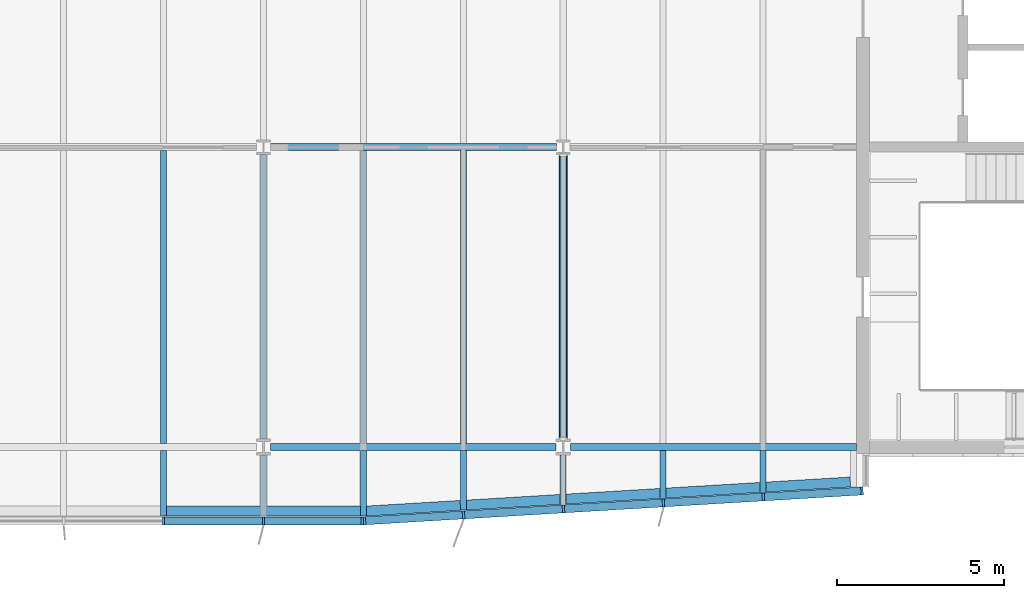
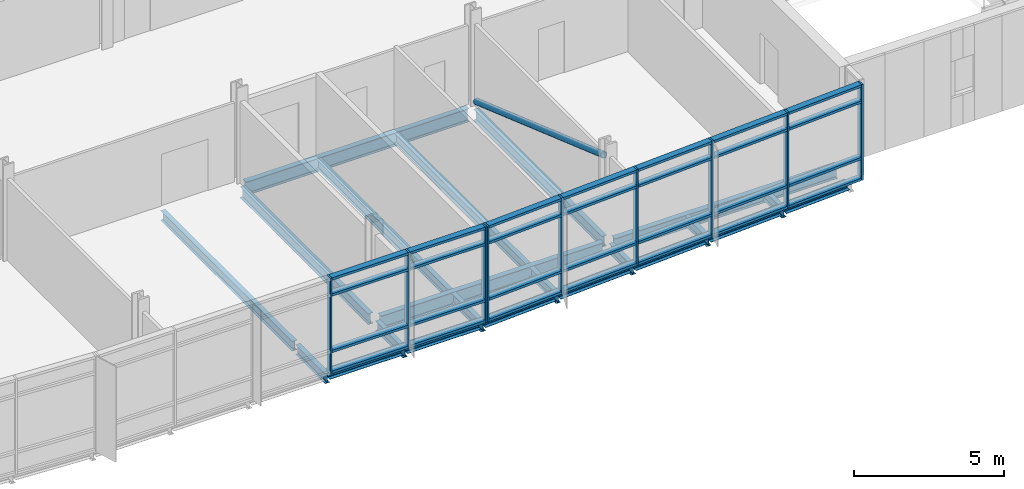
# One storey, part 5 of 17: 38 members, 22 beams, 2 elements without a shape of their own.
"""IFC4 building model written with IfcOpenShell, lengths in metres."""

import ifcopenshell
import ifcopenshell.guid

model = None  # the IFC model being written
_history = None  # IfcOwnerHistory: only IFC2X3 demands one
_inside = {}  # id of a spatial element -> (the spatial element, [elements in it])
_under = {}  # id of a project, library or spatial element -> (it, [spatial elements below it])
_declared = {}  # id of a project -> (the project, [libraries it declares])
_typed = {}  # id of a type object -> (the type object, [elements of that type])
_made_of = {}  # id of a material, layer set ... -> (it, [elements and type objects made of it])


def new_model(schema):
    """Start an empty IFC model of exactly this schema.

    Asked for "IFC4X3", IfcOpenShell would pick the latest addendum, in which some entities
    have other attributes; the version numbers below select the first issue.
    IFC2X3 requires an IfcOwnerHistory on every rooted entity: one is made here for all.
    """
    global model, _history
    if schema == "IFC4X3":
        model = ifcopenshell.file(schema_version=(4, 3, 0, 0))
    else:
        model = ifcopenshell.file(schema=schema)
    _inside.clear()
    _under.clear()
    _declared.clear()
    _typed.clear()
    _made_of.clear()
    _history = None
    if model.schema == "IFC2X3":
        org = make("IfcOrganization", Name="unknown")
        user = make(
            "IfcPersonAndOrganization",
            ThePerson=make("IfcPerson", FamilyName="unknown"),
            TheOrganization=org,
        )
        app = make(
            "IfcApplication",
            ApplicationDeveloper=org,
            Version="unknown",
            ApplicationFullName="unknown",
            ApplicationIdentifier="unknown",
        )
        _history = make(
            "IfcOwnerHistory",
            OwningUser=user,
            OwningApplication=app,
            ChangeAction="ADDED",
            CreationDate=0,
        )
    return model


def make(cls, **values):
    """One entity of the class cls with the attributes given. An attribute that is None is left unset."""
    return model.create_entity(
        cls, **{name: value for name, value in values.items() if value is not None}
    )


def rooted(cls, **values):
    """An entity with a GlobalId (a new one), such as an element, a storey or a relation."""
    return make(cls, GlobalId=ifcopenshell.guid.new(), OwnerHistory=_history, **values)


def si_unit(unit_type, name, prefix=None):
    """IfcSIUnit, for example si_unit("LENGTHUNIT", "METRE", prefix="MILLI")."""
    return make("IfcSIUnit", UnitType=unit_type, Prefix=prefix, Name=name)


def assignment(units):
    """IfcUnitAssignment: the units of a project."""
    return None if units is None else make("IfcUnitAssignment", Units=units)


def point(xyz):
    """IfcCartesianPoint."""
    return None if xyz is None else make("IfcCartesianPoint", Coordinates=xyz)


def direction(xyz):
    """IfcDirection."""
    return None if xyz is None else make("IfcDirection", DirectionRatios=xyz)


def frame(location, z_axis=None, x_axis=None):
    """IfcAxis2Placement3D, a coordinate frame: its origin and axes. An axis left out is left unset."""
    return make(
        "IfcAxis2Placement3D",
        Location=point(location),
        Axis=direction(z_axis),
        RefDirection=direction(x_axis),
    )


def frame_2d(location, x_axis=None):
    """IfcAxis2Placement2D, a coordinate frame in the plane: its origin and x axis."""
    return make(
        "IfcAxis2Placement2D", Location=point(location), RefDirection=direction(x_axis)
    )


def origin():
    """The frame at (0, 0, 0) with its axes left unset."""
    return frame((0.0, 0.0, 0.0))


def origin_2d():
    """The frame at (0, 0) in the plane with its x axis left unset."""
    return frame_2d((0.0, 0.0))


def place(relative_to, where):
    """IfcLocalPlacement: puts the frame where relative to a parent placement (None: the world)."""
    return make(
        "IfcLocalPlacement", PlacementRelTo=relative_to, RelativePlacement=where
    )


def context(
    kind, dimensions, precision=None, world=None, true_north=None, identifier=None
):
    """IfcGeometricRepresentationContext, for example the 3D "Model" context."""
    return make(
        "IfcGeometricRepresentationContext",
        ContextIdentifier=identifier,
        ContextType=kind,
        CoordinateSpaceDimension=dimensions,
        Precision=precision,
        WorldCoordinateSystem=world,
        TrueNorth=true_north,
    )


def subcontext(parent, identifier, kind, view, scale=None):
    """IfcGeometricRepresentationSubContext, for example "Body" below "Model"."""
    return make(
        "IfcGeometricRepresentationSubContext",
        ContextIdentifier=identifier,
        ContextType=kind,
        ParentContext=parent,
        TargetScale=scale,
        TargetView=view,
    )


def project(units=None, contexts=None):
    """IfcProject with its units and contexts."""
    return rooted(
        "IfcProject",
        Name="project",
        RepresentationContexts=contexts,
        UnitsInContext=assignment(units),
    )


def spatial(cls, under=None, at=None, **own):
    """A site, building, storey or space (cls), placed at a placement, below another one or the project."""
    s = rooted(cls, ObjectPlacement=at, **own)
    if under is not None:
        _under.setdefault(under.id(), (under, []))[1].append(s)
    return s


def profile(cls, at=None, kind="AREA", **sizes):
    """A parametric profile (cls). Its sizes go by their IFC names, for example OverallWidth=200.0."""
    return make(cls, ProfileType=kind, Position=at, **sizes)


def rectangle(**sizes):
    """IfcRectangleProfileDef."""
    return profile("IfcRectangleProfileDef", **sizes)


def hollow_circle(**sizes):
    """IfcCircleHollowProfileDef."""
    return profile("IfcCircleHollowProfileDef", **sizes)


def i_section(**sizes):
    """IfcIShapeProfileDef."""
    return profile("IfcIShapeProfileDef", **sizes)


def extrude(swept, where, along, depth):
    """IfcExtrudedAreaSolid: the profile swept, set in the frame where, extruded along a direction by depth."""
    return make(
        "IfcExtrudedAreaSolid",
        SweptArea=swept,
        Position=where,
        ExtrudedDirection=direction(along),
        Depth=depth,
    )


def shape(context_of_items, identifier, shape_type, items):
    """IfcShapeRepresentation: the items that make up one representation, for example the "Body"."""
    return make(
        "IfcShapeRepresentation",
        ContextOfItems=context_of_items,
        RepresentationIdentifier=identifier,
        RepresentationType=shape_type,
        Items=items,
    )


def material(Name=None, Category=None):
    """IfcMaterial."""
    return make("IfcMaterial", Name=Name, Category=Category)


def material_profile(
    of_material, cross_section, Name=None, Category=None, Priority=None
):
    """IfcMaterialProfile: a cross section and its material."""
    return make(
        "IfcMaterialProfile",
        Name=Name,
        Material=of_material,
        Profile=cross_section,
        Priority=Priority,
        Category=Category,
    )


def profile_set(profiles, Name=None, composite=None):
    """IfcMaterialProfileSet."""
    return make(
        "IfcMaterialProfileSet",
        Name=Name,
        MaterialProfiles=profiles,
        CompositeProfile=composite,
    )


def made_of(thing, what):
    """Note that an element or type object is made of a material, layer set ...; save() writes the relation."""
    if what is not None:
        _made_of.setdefault(what.id(), (what, []))[1].append(thing)
    return thing


def type_object(cls, material=None, **own):
    """A type object (cls), such as IfcWallType, which elements share."""
    return made_of(rooted(cls, **own), material)


def element(
    cls,
    number,
    at=None,
    inside=None,
    cuts=None,
    type_object=None,
    material=None,
    context=None,
    identifier="Body",
    shape_type=None,
    held_by="IfcProductDefinitionShape",
    body=None,
    shapes=None,
    **own,
):
    """One element of the class cls, such as IfcWall. Its Tag is "e" and its number.

    at: its placement. inside: the storey or other place that contains it. cuts: it is an
    opening in that element (IfcRelVoidsElement). A single representation is given by context,
    identifier, shape_type and body (its items); several are given by shapes. held_by: the class
    of the entity that holds the representations. save() writes the other relations.
    """
    e = rooted(cls, Tag="e%d" % number, ObjectPlacement=at, **own)
    if body is not None:
        shapes = [shape(context, identifier, shape_type, body)]
    if shapes is not None:
        e.Representation = make(held_by, Representations=shapes)
    if inside is not None:
        _inside.setdefault(inside.id(), (inside, []))[1].append(e)
    if cuts is not None:
        rooted(
            "IfcRelVoidsElement", RelatingBuildingElement=cuts, RelatedOpeningElement=e
        )
    if type_object is not None:
        _typed.setdefault(type_object.id(), (type_object, []))[1].append(e)
    return made_of(e, material)


def aggregate(whole, parts):
    """IfcRelAggregates: a whole, such as a stair, and the parts it consists of."""
    return rooted("IfcRelAggregates", RelatingObject=whole, RelatedObjects=parts)


def save(model, path):
    """Write the relations noted so far, then the file.

    IfcRelAggregates (storeys below a building ...), IfcRelContainedInSpatialStructure (elements
    in a storey), IfcRelDefinesByType, IfcRelAssociatesMaterial and IfcRelDeclares: one each for
    every whole, place, type object, material and project.
    """
    for whole, parts in _under.values():
        aggregate(whole, parts)
    for where, things in _inside.values():
        rooted(
            "IfcRelContainedInSpatialStructure",
            RelatedElements=things,
            RelatingStructure=where,
        )
    for kind, things in _typed.values():
        rooted("IfcRelDefinesByType", RelatedObjects=things, RelatingType=kind)
    for what, things in _made_of.values():
        rooted("IfcRelAssociatesMaterial", RelatedObjects=things, RelatingMaterial=what)
    for by, libraries in _declared.values():
        rooted("IfcRelDeclares", RelatingContext=by, RelatedDefinitions=libraries)
    model.write(path)


model = new_model("IFC4")

# Units and contexts
model_context = context("Model", 3, precision=1e-05, world=origin(), true_north=direction((0.0, 1.0)))
body_context = subcontext(model_context, "Body", "Model", "MODEL_VIEW")
ifc_project = project(units=[si_unit("LENGTHUNIT", "METRE"), si_unit("AREAUNIT", "SQUARE_METRE"), si_unit("VOLUMEUNIT", "CUBIC_METRE"), si_unit("PLANEANGLEUNIT", "RADIAN"), si_unit("MASSUNIT", "GRAM", prefix="KILO")], contexts=[model_context])

# Site, building, storey
site_placement = place(None, origin())
site = spatial("IfcSite", under=ifc_project, at=site_placement, CompositionType="ELEMENT")
building_placement = place(site_placement, origin())
building = spatial("IfcBuilding", under=site, at=building_placement, Name="Azimuth Sports and Learning Centre", CompositionType="ELEMENT")
storey_placement = place(building_placement, frame((0.0, 0.0, 40.199951171875)))
storey = spatial("IfcBuildingStorey", under=building, at=storey_placement, Name="L08", CompositionType="ELEMENT", Elevation=40.199951171875)

# Beams
ifc_material_1 = material(Name="Steel S355", Category="steel")
ifc_material_profile_1 = material_profile(ifc_material_1, i_section(OverallWidth=0.18994140625, OverallDepth=0.449951171875, WebThickness=0.009521484375, FlangeThickness=0.0146484375, FilletRadius=0.02099609375, at=origin_2d()), Name="IPE 450")
ifc_profile_set_1 = profile_set([ifc_material_profile_1], Name="Steel S355")
beam_type_1 = type_object("IfcBeamType", Name="Beam IPE 450", PredefinedType="BEAM", material=ifc_profile_set_1)
for number, where, z_axis, x_axis, name in (
    (1, (90.0, 90.237060546875, -0.35498046875), (0.0, 1.0, 0.0), (-1.0, 0.0, 0.0), "Tower tie"),
    (2, (99.0, 90.237060546875, -0.35498046875), (0.0, 1.0, 0.0), (-1.0, 0.0, 0.0), "Tower tie"),
):
    element("IfcBeam", number, at=place(storey_placement, frame(where, z_axis=z_axis, x_axis=x_axis)), inside=storey, type_object=beam_type_1, Name=name, PredefinedType="BEAM", context=body_context, shape_type="SweptSolid", body=[
        extrude(i_section(OverallWidth=0.18994140625, OverallDepth=0.449951171875, WebThickness=0.009521484375, FlangeThickness=0.0146484375, FilletRadius=0.02099609375, at=origin_2d()), origin(), (0.0, 0.0, 1.0), 8.54541015625),
    ])
ifc_material_2 = material(Name="Steel S355", Category="steel")
ifc_material_profile_2 = material_profile(ifc_material_2, i_section(OverallWidth=0.2099609375, OverallDepth=0.550048828125, WebThickness=0.010986328125, FlangeThickness=0.01708984375, FilletRadius=0.02392578125, at=origin_2d()), Name="IPE 550")
ifc_profile_set_2 = profile_set([ifc_material_profile_2], Name="Steel S355")
beam_type_2 = type_object("IfcBeamType", Name="Beam IPE 550", PredefinedType="BEAM", material=ifc_profile_set_2)
beam_1_placement = place(storey_placement, frame((90.2119140625, 90.0, -0.405029296875), z_axis=(1.0, 0.0, 0.0), x_axis=(0.0, 1.0, 0.0)))
element("IfcBeam", 3, at=beam_1_placement, inside=storey, type_object=beam_type_2, Name="Tower girder L08", PredefinedType="BEAM", context=body_context, shape_type="SweptSolid", body=[
    extrude(i_section(OverallWidth=0.2099609375, OverallDepth=0.550048828125, WebThickness=0.010986328125, FlangeThickness=0.01708984375, FilletRadius=0.02392578125, at=origin_2d()), origin(), (0.0, 0.0, 1.0), 8.576171875),
])
beam_2_placement = place(storey_placement, frame((99.2119140625, 90.0, -0.405029296875), z_axis=(1.0, 0.0, 0.0), x_axis=(0.0, 1.0, 0.0)))
element("IfcBeam", 4, at=beam_2_placement, inside=storey, type_object=beam_type_2, Name="Tower girder L08", PredefinedType="BEAM", context=body_context, shape_type="SweptSolid", body=[
    extrude(i_section(OverallWidth=0.2099609375, OverallDepth=0.550048828125, WebThickness=0.010986328125, FlangeThickness=0.01708984375, FilletRadius=0.02392578125, at=origin_2d()), origin(), (0.0, 0.0, 1.0), 8.588134765625),
])
beam_3_placement = place(storey_placement, frame((90.2060546875, 99.0, -0.405029296875), z_axis=(1.0, 0.0, 0.0), x_axis=(0.0, 1.0, 0.0)))
element("IfcBeam", 5, at=beam_3_placement, inside=storey, type_object=beam_type_2, Name="Tower girder L08", PredefinedType="BEAM", context=body_context, shape_type="SweptSolid", body=[
    extrude(i_section(OverallWidth=0.2099609375, OverallDepth=0.550048828125, WebThickness=0.010986328125, FlangeThickness=0.01708984375, FilletRadius=0.02392578125, at=origin_2d()), origin(), (0.0, 0.0, 1.0), 8.587890625),
])

# Member
ifc_material_3 = material(Name="Steel S355", Category="steel")
ifc_material_profile_3 = material_profile(ifc_material_3, hollow_circle(Radius=0.122314453125, WallThickness=0.012451171875, at=origin_2d()), Name="CHS 244.5x12.5")
ifc_profile_set_3 = profile_set([ifc_material_profile_3], Name="Steel S355")
member_type_1 = type_object("IfcMemberType", Name="Brace CHS 244.5x12.5", PredefinedType="BRACE", material=ifc_profile_set_3)
member_1_placement = place(storey_placement, frame((99.0, 90.25732421875, 3.150634765625), z_axis=(0.0, 0.943699867633, -0.330802901785), x_axis=(-1.0, 0.0, 0.0)))
element("IfcMember", 6, at=member_1_placement, inside=storey, type_object=member_type_1, Name="Tower brace 12 L08", PredefinedType="BRACE", context=body_context, shape_type="SweptSolid", body=[
    extrude(hollow_circle(Radius=0.122314453125, WallThickness=0.012451171875, at=origin_2d()), origin(), (0.0, 0.0, 1.0), 9.011962890625),
])

# Beams
ifc_material_4 = material(Name="Steel S355", Category="steel")
ifc_material_profile_4 = material_profile(ifc_material_4, i_section(OverallWidth=0.179931640625, OverallDepth=0.39990234375, WebThickness=0.008544921875, FlangeThickness=0.013427734375, FilletRadius=0.02099609375, at=origin_2d()), Name="IPE 400")
ifc_profile_set_4 = profile_set([ifc_material_profile_4], Name="Steel S355")
beam_type_3 = type_object("IfcBeamType", Name="Cantilever stub IPE 400", PredefinedType="JOIST", material=ifc_profile_set_4)
beam_4_placement = place(storey_placement, frame((87.0, 89.89501953125, -0.329833984375), z_axis=(0.0, -1.0, 0.0), x_axis=(1.0, 0.0, 0.0)))
element("IfcBeam", 7, at=beam_4_placement, inside=storey, type_object=beam_type_3, Name="Tower cantilever stub", PredefinedType="JOIST", context=body_context, shape_type="SweptSolid", body=[
    extrude(i_section(OverallWidth=0.179931640625, OverallDepth=0.39990234375, WebThickness=0.008544921875, FlangeThickness=0.013427734375, FilletRadius=0.02099609375, at=origin_2d()), origin(), (0.0, 0.0, 1.0), 1.97509765625),
])
beam_5_placement = place(storey_placement, frame((90.0, 89.762939453125, -0.329833984375), z_axis=(0.0, -1.0, 0.0), x_axis=(1.0, 0.0, 0.0)))
element("IfcBeam", 8, at=beam_5_placement, inside=storey, type_object=beam_type_3, Name="Tower cantilever stub", PredefinedType="JOIST", context=body_context, shape_type="SweptSolid", body=[
    extrude(i_section(OverallWidth=0.179931640625, OverallDepth=0.39990234375, WebThickness=0.008544921875, FlangeThickness=0.013427734375, FilletRadius=0.02099609375, at=origin_2d()), origin(), (0.0, 0.0, 1.0), 1.843017578125),
])
beam_6_placement = place(storey_placement, frame((93.0, 89.89501953125, -0.329833984375), z_axis=(0.0, -1.0, 0.0), x_axis=(1.0, 0.0, 0.0)))
element("IfcBeam", 9, at=beam_6_placement, inside=storey, type_object=beam_type_3, Name="Tower cantilever stub", PredefinedType="JOIST", context=body_context, shape_type="SweptSolid", body=[
    extrude(i_section(OverallWidth=0.179931640625, OverallDepth=0.39990234375, WebThickness=0.008544921875, FlangeThickness=0.013427734375, FilletRadius=0.02099609375, at=origin_2d()), origin(), (0.0, 0.0, 1.0), 1.97509765625),
])
beam_7_placement = place(storey_placement, frame((96.0, 89.89501953125, -0.329833984375), z_axis=(0.0, -1.0, 0.0), x_axis=(1.0, 0.0, 0.0)))
element("IfcBeam", 10, at=beam_7_placement, inside=storey, type_object=beam_type_3, Name="Tower cantilever stub", PredefinedType="JOIST", context=body_context, shape_type="SweptSolid", body=[
    extrude(i_section(OverallWidth=0.179931640625, OverallDepth=0.39990234375, WebThickness=0.008544921875, FlangeThickness=0.013427734375, FilletRadius=0.02099609375, at=origin_2d()), origin(), (0.0, 0.0, 1.0), 1.794921875),
])
beam_8_placement = place(storey_placement, frame((99.0, 89.762939453125, -0.329833984375), z_axis=(0.0, -1.0, 0.0), x_axis=(1.0, 0.0, 0.0)))
element("IfcBeam", 11, at=beam_8_placement, inside=storey, type_object=beam_type_3, Name="Tower cantilever stub", PredefinedType="JOIST", context=body_context, shape_type="SweptSolid", body=[
    extrude(i_section(OverallWidth=0.179931640625, OverallDepth=0.39990234375, WebThickness=0.008544921875, FlangeThickness=0.013427734375, FilletRadius=0.02099609375, at=origin_2d()), origin(), (0.0, 0.0, 1.0), 1.48291015625),
])
beam_9_placement = place(storey_placement, frame((102.0, 89.89501953125, -0.329833984375), z_axis=(0.0, -1.0, 0.0), x_axis=(1.0, 0.0, 0.0)))
element("IfcBeam", 12, at=beam_9_placement, inside=storey, type_object=beam_type_3, Name="Tower cantilever stub", PredefinedType="JOIST", context=body_context, shape_type="SweptSolid", body=[
    extrude(i_section(OverallWidth=0.179931640625, OverallDepth=0.39990234375, WebThickness=0.008544921875, FlangeThickness=0.013427734375, FilletRadius=0.02099609375, at=origin_2d()), origin(), (0.0, 0.0, 1.0), 1.43505859375),
])
beam_10_placement = place(storey_placement, frame((105.0, 89.89501953125, -0.329833984375), z_axis=(0.0, -1.0, 0.0), x_axis=(1.0, 0.0, 0.0)))
element("IfcBeam", 13, at=beam_10_placement, inside=storey, type_object=beam_type_3, Name="Tower cantilever stub", PredefinedType="JOIST", context=body_context, shape_type="SweptSolid", body=[
    extrude(i_section(OverallWidth=0.179931640625, OverallDepth=0.39990234375, WebThickness=0.008544921875, FlangeThickness=0.013427734375, FilletRadius=0.02099609375, at=origin_2d()), origin(), (0.0, 0.0, 1.0), 1.255126953125),
])
ifc_material_5 = material(Name="Steel S355", Category="steel")
ifc_material_profile_5 = material_profile(ifc_material_5, i_section(OverallWidth=0.300048828125, OverallDepth=0.2900390625, WebThickness=0.008544921875, FlangeThickness=0.013916015625, FilletRadius=0.027099609375, at=origin_2d()), Name="HEA 300")
ifc_profile_set_5 = profile_set([ifc_material_profile_5], Name="Steel S355")
beam_type_4 = type_object("IfcBeamType", Name="Edge beam HEA 300", PredefinedType="SPANDREL", material=ifc_profile_set_5)
for number, where, z_axis, x_axis, name in (
    (14, (87.090087890625, 88.070068359375, -0.27490234375), (1.0, 0.0, 0.0), (0.0, 1.0, 0.0), "Tower edge beam"),
    (15, (90.090087890625, 88.070068359375, -0.27490234375), (1.0, 0.0, 0.0), (0.0, 1.0, 0.0), "Tower edge beam"),
):
    element("IfcBeam", number, at=place(storey_placement, frame(where, z_axis=z_axis, x_axis=x_axis)), inside=storey, type_object=beam_type_4, Name=name, PredefinedType="SPANDREL", context=body_context, shape_type="SweptSolid", body=[
        extrude(i_section(OverallWidth=0.300048828125, OverallDepth=0.2900390625, WebThickness=0.008544921875, FlangeThickness=0.013916015625, FilletRadius=0.027099609375, at=origin_2d()), origin(), (0.0, 0.0, 1.0), 2.81982421875),
    ])
for number, where, z_axis, x_axis, name in (
    (16, (93.090087890625, 88.075439453125, -0.27490234375), (0.998204845466, 0.059892290728, 0.0), (-0.059892290728, 0.998204845466, 0.0), "Tower edge beam"),
    (17, (96.090087890625, 88.25537109375, -0.27490234375), (0.998204845466, 0.059892290728, 0.0), (-0.059892290728, 0.998204845466, 0.0), "Tower edge beam"),
    (18, (99.090087890625, 88.435302734375, -0.27490234375), (0.998204845466, 0.059892290728, 0.0), (-0.059892290728, 0.998204845466, 0.0), "Tower edge beam"),
    (19, (102.090087890625, 88.615478515625, -0.27490234375), (0.998204845466, 0.059892290728, 0.0), (-0.059892290728, 0.998204845466, 0.0), "Tower edge beam"),
):
    element("IfcBeam", number, at=place(storey_placement, frame(where, z_axis=z_axis, x_axis=x_axis)), inside=storey, type_object=beam_type_4, Name=name, PredefinedType="SPANDREL", context=body_context, shape_type="SweptSolid", body=[
        extrude(i_section(OverallWidth=0.300048828125, OverallDepth=0.2900390625, WebThickness=0.008544921875, FlangeThickness=0.013916015625, FilletRadius=0.027099609375, at=origin_2d()), origin(), (0.0, 0.0, 1.0), 2.824951171875),
    ])
beam_11_placement = place(storey_placement, frame((105.090087890625, 88.79541015625, -0.27490234375), z_axis=(0.998203578329, 0.059913405937, 0.0), x_axis=(-0.059913405937, 0.998203578329, 0.0)))
element("IfcBeam", 20, at=beam_11_placement, inside=storey, type_object=beam_type_4, Name="Tower edge beam", PredefinedType="SPANDREL", context=body_context, shape_type="SweptSolid", body=[
    extrude(i_section(OverallWidth=0.300048828125, OverallDepth=0.2900390625, WebThickness=0.008544921875, FlangeThickness=0.013916015625, FilletRadius=0.027099609375, at=origin_2d()), origin(), (0.0, 0.0, 1.0), 2.53466796875),
])
ifc_material_6 = material(Name="Steel S355", Category="steel")
ifc_material_profile_6 = material_profile(ifc_material_6, i_section(OverallWidth=0.179931640625, OverallDepth=0.39990234375, WebThickness=0.008544921875, FlangeThickness=0.013427734375, FilletRadius=0.02099609375, at=origin_2d()), Name="IPE 400")
ifc_profile_set_6 = profile_set([ifc_material_profile_6], Name="Steel S355")
beam_type_5 = type_object("IfcBeamType", Name="Joist IPE 400", PredefinedType="JOIST", material=ifc_profile_set_6)
for number, where, z_axis, x_axis, name in (
    (21, (87.0, 90.10498046875, -0.329833984375), (0.0, 1.0, 0.0), (-1.0, 0.0, 0.0), "Tower joist"),
    (22, (93.0, 90.10498046875, -0.329833984375), (0.0, 1.0, 0.0), (-1.0, 0.0, 0.0), "Tower joist"),
    (23, (96.0, 90.10498046875, -0.329833984375), (0.0, 1.0, 0.0), (-1.0, 0.0, 0.0), "Tower joist"),
):
    element("IfcBeam", number, at=place(storey_placement, frame(where, z_axis=z_axis, x_axis=x_axis)), inside=storey, type_object=beam_type_5, Name=name, PredefinedType="JOIST", context=body_context, shape_type="SweptSolid", body=[
        extrude(i_section(OverallWidth=0.179931640625, OverallDepth=0.39990234375, WebThickness=0.008544921875, FlangeThickness=0.013427734375, FilletRadius=0.02099609375, at=origin_2d()), origin(), (0.0, 0.0, 1.0), 8.7900390625),
    ])

# Curtain wall, members
ifc_material_7 = material(Name="Aluminium and glass", Category="aluminium")
curtain_wall_type = type_object("IfcCurtainWallType", Name="Curtain wall tower south 240", PredefinedType="NOTDEFINED", material=ifc_material_7)
curtain_wall_1_placement = place(storey_placement, origin())
curtain_wall_1 = element("IfcCurtainWall", 24, at=curtain_wall_1_placement, inside=storey, type_object=curtain_wall_type, Name="Curtain wall CW08-003", PredefinedType="NOTDEFINED")
ifc_material_8 = material(Name="Aluminium", Category="aluminium")
ifc_material_profile_7 = material_profile(ifc_material_8, rectangle(XDim=0.239990234375, YDim=0.070068359375, at=origin_2d()), Name="Mullion 70x240")
ifc_profile_set_7 = profile_set([ifc_material_profile_7], Name="Aluminium")
member_type_2 = type_object("IfcMemberType", Name="Mullion 70x240", PredefinedType="MULLION", material=ifc_profile_set_7)
member_2_placement = place(storey_placement, frame((87.0, 87.780029296875, 0.0), z_axis=(0.0, 0.0, 1.0), x_axis=(0.0, 1.0, 0.0)))
member_2 = element("IfcMember", 25, at=member_2_placement, type_object=member_type_2, Name="CW08-003 mullion 4", PredefinedType="MULLION", context=body_context, shape_type="SweptSolid", body=[
    extrude(rectangle(XDim=0.239990234375, YDim=0.070068359375, at=origin_2d()), origin(), (0.0, 0.0, 1.0), 3.900146484375),
])
member_3_placement = place(storey_placement, frame((90.0, 87.780029296875, 0.0), z_axis=(0.0, 0.0, 1.0), x_axis=(0.0, 1.0, 0.0)))
member_3 = element("IfcMember", 26, at=member_3_placement, type_object=member_type_2, Name="CW08-003 mullion 5", PredefinedType="MULLION", context=body_context, shape_type="SweptSolid", body=[
    extrude(rectangle(XDim=0.239990234375, YDim=0.070068359375, at=origin_2d()), origin(), (0.0, 0.0, 1.0), 3.900146484375),
])
member_4_placement = place(storey_placement, frame((92.965087890625, 87.780029296875, 0.0), z_axis=(0.0, 0.0, 1.0), x_axis=(0.0, 1.0, 0.0)))
member_4 = element("IfcMember", 27, at=member_4_placement, type_object=member_type_2, Name="CW08-003 mullion 6", PredefinedType="MULLION", context=body_context, shape_type="SweptSolid", body=[
    extrude(rectangle(XDim=0.239990234375, YDim=0.070068359375, at=origin_2d()), origin(), (0.0, 0.0, 1.0), 3.900146484375),
])

curtain_wall_2_placement = place(storey_placement, origin())
curtain_wall_2 = element("IfcCurtainWall", 28, at=curtain_wall_2_placement, inside=storey, type_object=curtain_wall_type, Name="Curtain wall CW08-004", PredefinedType="NOTDEFINED")
member_5_placement = place(storey_placement, frame((93.034912109375, 87.781982421875, 0.0), z_axis=(0.0, 0.0, 1.0), x_axis=(-0.059891991812, 0.998204863401, 0.0)))
member_5 = element("IfcMember", 29, at=member_5_placement, type_object=member_type_2, Name="CW08-004 mullion 1", PredefinedType="MULLION", context=body_context, shape_type="SweptSolid", body=[
    extrude(rectangle(XDim=0.239990234375, YDim=0.070068359375, at=origin_2d()), origin(), (0.0, 0.0, 1.0), 3.900146484375),
])
member_6_placement = place(storey_placement, frame((96.007080078125, 87.960205078125, 0.0), z_axis=(0.0, 0.0, 1.0), x_axis=(-0.059891991812, 0.998204863401, 0.0)))
member_6 = element("IfcMember", 30, at=member_6_placement, type_object=member_type_2, Name="CW08-004 mullion 2", PredefinedType="MULLION", context=body_context, shape_type="SweptSolid", body=[
    extrude(rectangle(XDim=0.239990234375, YDim=0.070068359375, at=origin_2d()), origin(), (0.0, 0.0, 1.0), 3.900146484375),
])
member_7_placement = place(storey_placement, frame((99.007080078125, 88.14013671875, 0.0), z_axis=(0.0, 0.0, 1.0), x_axis=(-0.059891991812, 0.998204863401, 0.0)))
member_7 = element("IfcMember", 31, at=member_7_placement, type_object=member_type_2, Name="CW08-004 mullion 3", PredefinedType="MULLION", context=body_context, shape_type="SweptSolid", body=[
    extrude(rectangle(XDim=0.239990234375, YDim=0.070068359375, at=origin_2d()), origin(), (0.0, 0.0, 1.0), 3.900146484375),
])
member_8_placement = place(storey_placement, frame((102.007080078125, 88.3203125, 0.0), z_axis=(0.0, 0.0, 1.0), x_axis=(-0.059891991812, 0.998204863401, 0.0)))
member_8 = element("IfcMember", 32, at=member_8_placement, type_object=member_type_2, Name="CW08-004 mullion 4", PredefinedType="MULLION", context=body_context, shape_type="SweptSolid", body=[
    extrude(rectangle(XDim=0.239990234375, YDim=0.070068359375, at=origin_2d()), origin(), (0.0, 0.0, 1.0), 3.900146484375),
])
member_9_placement = place(storey_placement, frame((105.007080078125, 88.500244140625, 0.0), z_axis=(0.0, 0.0, 1.0), x_axis=(-0.059891991812, 0.998204863401, 0.0)))
member_9 = element("IfcMember", 33, at=member_9_placement, type_object=member_type_2, Name="CW08-004 mullion 5", PredefinedType="MULLION", context=body_context, shape_type="SweptSolid", body=[
    extrude(rectangle(XDim=0.239990234375, YDim=0.070068359375, at=origin_2d()), origin(), (0.0, 0.0, 1.0), 3.900146484375),
])
member_10_placement = place(storey_placement, frame((107.97216796875, 88.67822265625, 0.0), z_axis=(0.0, 0.0, 1.0), x_axis=(-0.059891991812, 0.998204863401, 0.0)))
member_10 = element("IfcMember", 34, at=member_10_placement, type_object=member_type_2, Name="CW08-004 mullion 6", PredefinedType="MULLION", context=body_context, shape_type="SweptSolid", body=[
    extrude(rectangle(XDim=0.239990234375, YDim=0.070068359375, at=origin_2d()), origin(), (0.0, 0.0, 1.0), 3.900146484375),
])

# Member
ifc_material_9 = material(Name="Aluminium", Category="aluminium")
ifc_material_profile_8 = material_profile(ifc_material_9, rectangle(XDim=0.239990234375, YDim=0.10009765625, at=origin_2d()), Name="Transom 100x240")
ifc_profile_set_8 = profile_set([ifc_material_profile_8], Name="Aluminium")
member_type_3 = type_object("IfcMemberType", Name="Transom 100x240", PredefinedType="USERDEFINED", material=ifc_profile_set_8)
member_11_placement = place(storey_placement, frame((87.034912109375, 87.780029296875, 0.050048828125), z_axis=(1.0, 0.0, 0.0), x_axis=(0.0, 1.0, 0.0)))
member_11 = element("IfcMember", 35, at=member_11_placement, type_object=member_type_3, Name="CW08-003 transom 4.1", ObjectType="TRANSOM", PredefinedType="USERDEFINED", context=body_context, shape_type="SweptSolid", body=[
    extrude(rectangle(XDim=0.239990234375, YDim=0.10009765625, at=origin_2d()), origin(), (0.0, 0.0, 1.0), 2.93017578125),
])

member_12_placement = place(storey_placement, frame((87.034912109375, 87.780029296875, 0.900146484375), z_axis=(1.0, 0.0, 0.0), x_axis=(0.0, 1.0, 0.0)))
member_12 = element("IfcMember", 36, at=member_12_placement, type_object=member_type_3, Name="CW08-003 transom 4.2", ObjectType="TRANSOM", PredefinedType="USERDEFINED", context=body_context, shape_type="SweptSolid", body=[
    extrude(rectangle(XDim=0.239990234375, YDim=0.10009765625, at=origin_2d()), origin(), (0.0, 0.0, 1.0), 2.93017578125),
])

member_13_placement = place(storey_placement, frame((87.034912109375, 87.780029296875, 3.199951171875), z_axis=(1.0, 0.0, 0.0), x_axis=(0.0, 1.0, 0.0)))
member_13 = element("IfcMember", 37, at=member_13_placement, type_object=member_type_3, Name="CW08-003 transom 4.3", ObjectType="TRANSOM", PredefinedType="USERDEFINED", context=body_context, shape_type="SweptSolid", body=[
    extrude(rectangle(XDim=0.239990234375, YDim=0.10009765625, at=origin_2d()), origin(), (0.0, 0.0, 1.0), 2.93017578125),
])

member_14_placement = place(storey_placement, frame((87.034912109375, 87.780029296875, 3.85009765625), z_axis=(1.0, 0.0, 0.0), x_axis=(0.0, 1.0, 0.0)))
member_14 = element("IfcMember", 38, at=member_14_placement, type_object=member_type_3, Name="CW08-003 transom 4.4", ObjectType="TRANSOM", PredefinedType="USERDEFINED", context=body_context, shape_type="SweptSolid", body=[
    extrude(rectangle(XDim=0.239990234375, YDim=0.10009765625, at=origin_2d()), origin(), (0.0, 0.0, 1.0), 2.93017578125),
])

member_15_placement = place(storey_placement, frame((90.034912109375, 87.780029296875, 0.050048828125), z_axis=(1.0, 0.0, 0.0), x_axis=(0.0, 1.0, 0.0)))
member_15 = element("IfcMember", 39, at=member_15_placement, type_object=member_type_3, Name="CW08-003 transom 5.1", ObjectType="TRANSOM", PredefinedType="USERDEFINED", context=body_context, shape_type="SweptSolid", body=[
    extrude(rectangle(XDim=0.239990234375, YDim=0.10009765625, at=origin_2d()), origin(), (0.0, 0.0, 1.0), 2.89501953125),
])

member_16_placement = place(storey_placement, frame((90.034912109375, 87.780029296875, 0.900146484375), z_axis=(1.0, 0.0, 0.0), x_axis=(0.0, 1.0, 0.0)))
member_16 = element("IfcMember", 40, at=member_16_placement, type_object=member_type_3, Name="CW08-003 transom 5.2", ObjectType="TRANSOM", PredefinedType="USERDEFINED", context=body_context, shape_type="SweptSolid", body=[
    extrude(rectangle(XDim=0.239990234375, YDim=0.10009765625, at=origin_2d()), origin(), (0.0, 0.0, 1.0), 2.89501953125),
])

member_17_placement = place(storey_placement, frame((90.034912109375, 87.780029296875, 3.199951171875), z_axis=(1.0, 0.0, 0.0), x_axis=(0.0, 1.0, 0.0)))
member_17 = element("IfcMember", 41, at=member_17_placement, type_object=member_type_3, Name="CW08-003 transom 5.3", ObjectType="TRANSOM", PredefinedType="USERDEFINED", context=body_context, shape_type="SweptSolid", body=[
    extrude(rectangle(XDim=0.239990234375, YDim=0.10009765625, at=origin_2d()), origin(), (0.0, 0.0, 1.0), 2.89501953125),
])

member_18_placement = place(storey_placement, frame((90.034912109375, 87.780029296875, 3.85009765625), z_axis=(1.0, 0.0, 0.0), x_axis=(0.0, 1.0, 0.0)))
member_18 = element("IfcMember", 42, at=member_18_placement, type_object=member_type_3, Name="CW08-003 transom 5.4", ObjectType="TRANSOM", PredefinedType="USERDEFINED", context=body_context, shape_type="SweptSolid", body=[
    extrude(rectangle(XDim=0.239990234375, YDim=0.10009765625, at=origin_2d()), origin(), (0.0, 0.0, 1.0), 2.89501953125),
])

aggregate(curtain_wall_1, [member_2, member_3, member_4, member_11, member_12, member_13, member_14, member_15, member_16, member_17, member_18])

member_19_placement = place(storey_placement, frame((93.06982421875, 87.783935546875, 0.050048828125), z_axis=(0.998206250786, 0.059868864133, 0.0), x_axis=(-0.059868864133, 0.998206250786, 0.0)))
member_19 = element("IfcMember", 43, at=member_19_placement, type_object=member_type_3, Name="CW08-004 transom 1.1", ObjectType="TRANSOM", PredefinedType="USERDEFINED", context=body_context, shape_type="SweptSolid", body=[
    extrude(rectangle(XDim=0.239990234375, YDim=0.10009765625, at=origin_2d()), origin(), (0.0, 0.0, 1.0), 2.907470703125),
])

member_20_placement = place(storey_placement, frame((93.06982421875, 87.783935546875, 0.900146484375), z_axis=(0.998206250786, 0.059868864133, 0.0), x_axis=(-0.059868864133, 0.998206250786, 0.0)))
member_20 = element("IfcMember", 44, at=member_20_placement, type_object=member_type_3, Name="CW08-004 transom 1.2", ObjectType="TRANSOM", PredefinedType="USERDEFINED", context=body_context, shape_type="SweptSolid", body=[
    extrude(rectangle(XDim=0.239990234375, YDim=0.10009765625, at=origin_2d()), origin(), (0.0, 0.0, 1.0), 2.907470703125),
])

member_21_placement = place(storey_placement, frame((93.06982421875, 87.783935546875, 3.199951171875), z_axis=(0.998206250786, 0.059868864133, 0.0), x_axis=(-0.059868864133, 0.998206250786, 0.0)))
member_21 = element("IfcMember", 45, at=member_21_placement, type_object=member_type_3, Name="CW08-004 transom 1.3", ObjectType="TRANSOM", PredefinedType="USERDEFINED", context=body_context, shape_type="SweptSolid", body=[
    extrude(rectangle(XDim=0.239990234375, YDim=0.10009765625, at=origin_2d()), origin(), (0.0, 0.0, 1.0), 2.907470703125),
])

member_22_placement = place(storey_placement, frame((93.06982421875, 87.783935546875, 3.85009765625), z_axis=(0.998206250786, 0.059868864133, 0.0), x_axis=(-0.059868864133, 0.998206250786, 0.0)))
member_22 = element("IfcMember", 46, at=member_22_placement, type_object=member_type_3, Name="CW08-004 transom 1.4", ObjectType="TRANSOM", PredefinedType="USERDEFINED", context=body_context, shape_type="SweptSolid", body=[
    extrude(rectangle(XDim=0.239990234375, YDim=0.10009765625, at=origin_2d()), origin(), (0.0, 0.0, 1.0), 2.907470703125),
])

member_23_placement = place(storey_placement, frame((96.042236328125, 87.96240234375, 0.050048828125), z_axis=(0.998205143816, 0.059887318019, 0.0), x_axis=(-0.059887318019, 0.998205143816, 0.0)))
member_23 = element("IfcMember", 47, at=member_23_placement, type_object=member_type_3, Name="CW08-004 transom 2.1", ObjectType="TRANSOM", PredefinedType="USERDEFINED", context=body_context, shape_type="SweptSolid", body=[
    extrude(rectangle(XDim=0.239990234375, YDim=0.10009765625, at=origin_2d()), origin(), (0.0, 0.0, 1.0), 2.935302734375),
])

member_24_placement = place(storey_placement, frame((96.042236328125, 87.96240234375, 0.900146484375), z_axis=(0.998205143816, 0.059887318019, 0.0), x_axis=(-0.059887318019, 0.998205143816, 0.0)))
member_24 = element("IfcMember", 48, at=member_24_placement, type_object=member_type_3, Name="CW08-004 transom 2.2", ObjectType="TRANSOM", PredefinedType="USERDEFINED", context=body_context, shape_type="SweptSolid", body=[
    extrude(rectangle(XDim=0.239990234375, YDim=0.10009765625, at=origin_2d()), origin(), (0.0, 0.0, 1.0), 2.935302734375),
])

member_25_placement = place(storey_placement, frame((96.042236328125, 87.96240234375, 3.199951171875), z_axis=(0.998205143816, 0.059887318019, 0.0), x_axis=(-0.059887318019, 0.998205143816, 0.0)))
member_25 = element("IfcMember", 49, at=member_25_placement, type_object=member_type_3, Name="CW08-004 transom 2.3", ObjectType="TRANSOM", PredefinedType="USERDEFINED", context=body_context, shape_type="SweptSolid", body=[
    extrude(rectangle(XDim=0.239990234375, YDim=0.10009765625, at=origin_2d()), origin(), (0.0, 0.0, 1.0), 2.935302734375),
])

member_26_placement = place(storey_placement, frame((96.042236328125, 87.96240234375, 3.85009765625), z_axis=(0.998205143816, 0.059887318019, 0.0), x_axis=(-0.059887318019, 0.998205143816, 0.0)))
member_26 = element("IfcMember", 50, at=member_26_placement, type_object=member_type_3, Name="CW08-004 transom 2.4", ObjectType="TRANSOM", PredefinedType="USERDEFINED", context=body_context, shape_type="SweptSolid", body=[
    extrude(rectangle(XDim=0.239990234375, YDim=0.10009765625, at=origin_2d()), origin(), (0.0, 0.0, 1.0), 2.935302734375),
])

member_27_placement = place(storey_placement, frame((99.042236328125, 88.142333984375, 0.050048828125), z_axis=(0.998205143816, 0.059887318019, 0.0), x_axis=(-0.059887318019, 0.998205143816, 0.0)))
member_27 = element("IfcMember", 51, at=member_27_placement, type_object=member_type_3, Name="CW08-004 transom 3.1", ObjectType="TRANSOM", PredefinedType="USERDEFINED", context=body_context, shape_type="SweptSolid", body=[
    extrude(rectangle(XDim=0.239990234375, YDim=0.10009765625, at=origin_2d()), origin(), (0.0, 0.0, 1.0), 2.935302734375),
])

member_28_placement = place(storey_placement, frame((99.042236328125, 88.142333984375, 0.900146484375), z_axis=(0.998205143816, 0.059887318019, 0.0), x_axis=(-0.059887318019, 0.998205143816, 0.0)))
member_28 = element("IfcMember", 52, at=member_28_placement, type_object=member_type_3, Name="CW08-004 transom 3.2", ObjectType="TRANSOM", PredefinedType="USERDEFINED", context=body_context, shape_type="SweptSolid", body=[
    extrude(rectangle(XDim=0.239990234375, YDim=0.10009765625, at=origin_2d()), origin(), (0.0, 0.0, 1.0), 2.935302734375),
])

member_29_placement = place(storey_placement, frame((99.042236328125, 88.142333984375, 3.199951171875), z_axis=(0.998205143816, 0.059887318019, 0.0), x_axis=(-0.059887318019, 0.998205143816, 0.0)))
member_29 = element("IfcMember", 53, at=member_29_placement, type_object=member_type_3, Name="CW08-004 transom 3.3", ObjectType="TRANSOM", PredefinedType="USERDEFINED", context=body_context, shape_type="SweptSolid", body=[
    extrude(rectangle(XDim=0.239990234375, YDim=0.10009765625, at=origin_2d()), origin(), (0.0, 0.0, 1.0), 2.935302734375),
])

member_30_placement = place(storey_placement, frame((99.042236328125, 88.142333984375, 3.85009765625), z_axis=(0.998205143816, 0.059887318019, 0.0), x_axis=(-0.059887318019, 0.998205143816, 0.0)))
member_30 = element("IfcMember", 54, at=member_30_placement, type_object=member_type_3, Name="CW08-004 transom 3.4", ObjectType="TRANSOM", PredefinedType="USERDEFINED", context=body_context, shape_type="SweptSolid", body=[
    extrude(rectangle(XDim=0.239990234375, YDim=0.10009765625, at=origin_2d()), origin(), (0.0, 0.0, 1.0), 2.935302734375),
])

member_31_placement = place(storey_placement, frame((102.042236328125, 88.322265625, 0.050048828125), z_axis=(0.998205143816, 0.059887318019, 0.0), x_axis=(-0.059887318019, 0.998205143816, 0.0)))
member_31 = element("IfcMember", 55, at=member_31_placement, type_object=member_type_3, Name="CW08-004 transom 4.1", ObjectType="TRANSOM", PredefinedType="USERDEFINED", context=body_context, shape_type="SweptSolid", body=[
    extrude(rectangle(XDim=0.239990234375, YDim=0.10009765625, at=origin_2d()), origin(), (0.0, 0.0, 1.0), 2.935302734375),
])

member_32_placement = place(storey_placement, frame((102.042236328125, 88.322265625, 0.900146484375), z_axis=(0.998205143816, 0.059887318019, 0.0), x_axis=(-0.059887318019, 0.998205143816, 0.0)))
member_32 = element("IfcMember", 56, at=member_32_placement, type_object=member_type_3, Name="CW08-004 transom 4.2", ObjectType="TRANSOM", PredefinedType="USERDEFINED", context=body_context, shape_type="SweptSolid", body=[
    extrude(rectangle(XDim=0.239990234375, YDim=0.10009765625, at=origin_2d()), origin(), (0.0, 0.0, 1.0), 2.935302734375),
])

member_33_placement = place(storey_placement, frame((102.042236328125, 88.322265625, 3.199951171875), z_axis=(0.998205143816, 0.059887318019, 0.0), x_axis=(-0.059887318019, 0.998205143816, 0.0)))
member_33 = element("IfcMember", 57, at=member_33_placement, type_object=member_type_3, Name="CW08-004 transom 4.3", ObjectType="TRANSOM", PredefinedType="USERDEFINED", context=body_context, shape_type="SweptSolid", body=[
    extrude(rectangle(XDim=0.239990234375, YDim=0.10009765625, at=origin_2d()), origin(), (0.0, 0.0, 1.0), 2.935302734375),
])

member_34_placement = place(storey_placement, frame((102.042236328125, 88.322265625, 3.85009765625), z_axis=(0.998205143816, 0.059887318019, 0.0), x_axis=(-0.059887318019, 0.998205143816, 0.0)))
member_34 = element("IfcMember", 58, at=member_34_placement, type_object=member_type_3, Name="CW08-004 transom 4.4", ObjectType="TRANSOM", PredefinedType="USERDEFINED", context=body_context, shape_type="SweptSolid", body=[
    extrude(rectangle(XDim=0.239990234375, YDim=0.10009765625, at=origin_2d()), origin(), (0.0, 0.0, 1.0), 2.935302734375),
])

member_35_placement = place(storey_placement, frame((105.042236328125, 88.502197265625, 0.050048828125), z_axis=(0.998202227529, 0.059935907067, 0.0), x_axis=(-0.059935907067, 0.998202227529, 0.0)))
member_35 = element("IfcMember", 59, at=member_35_placement, type_object=member_type_3, Name="CW08-004 transom 5.1", ObjectType="TRANSOM", PredefinedType="USERDEFINED", context=body_context, shape_type="SweptSolid", body=[
    extrude(rectangle(XDim=0.239990234375, YDim=0.10009765625, at=origin_2d()), origin(), (0.0, 0.0, 1.0), 2.900146484375),
])

member_36_placement = place(storey_placement, frame((105.042236328125, 88.502197265625, 0.900146484375), z_axis=(0.998202227529, 0.059935907067, 0.0), x_axis=(-0.059935907067, 0.998202227529, 0.0)))
member_36 = element("IfcMember", 60, at=member_36_placement, type_object=member_type_3, Name="CW08-004 transom 5.2", ObjectType="TRANSOM", PredefinedType="USERDEFINED", context=body_context, shape_type="SweptSolid", body=[
    extrude(rectangle(XDim=0.239990234375, YDim=0.10009765625, at=origin_2d()), origin(), (0.0, 0.0, 1.0), 2.900146484375),
])

member_37_placement = place(storey_placement, frame((105.042236328125, 88.502197265625, 3.199951171875), z_axis=(0.998202227529, 0.059935907067, 0.0), x_axis=(-0.059935907067, 0.998202227529, 0.0)))
member_37 = element("IfcMember", 61, at=member_37_placement, type_object=member_type_3, Name="CW08-004 transom 5.3", ObjectType="TRANSOM", PredefinedType="USERDEFINED", context=body_context, shape_type="SweptSolid", body=[
    extrude(rectangle(XDim=0.239990234375, YDim=0.10009765625, at=origin_2d()), origin(), (0.0, 0.0, 1.0), 2.900146484375),
])

member_38_placement = place(storey_placement, frame((105.042236328125, 88.502197265625, 3.85009765625), z_axis=(0.998202227529, 0.059935907067, 0.0), x_axis=(-0.059935907067, 0.998202227529, 0.0)))
member_38 = element("IfcMember", 62, at=member_38_placement, type_object=member_type_3, Name="CW08-004 transom 5.4", ObjectType="TRANSOM", PredefinedType="USERDEFINED", context=body_context, shape_type="SweptSolid", body=[
    extrude(rectangle(XDim=0.239990234375, YDim=0.10009765625, at=origin_2d()), origin(), (0.0, 0.0, 1.0), 2.900146484375),
])

aggregate(curtain_wall_2, [member_5, member_6, member_7, member_8, member_9, member_10, member_19, member_20, member_21, member_22, member_23, member_24, member_25, member_26, member_27, member_28, member_29, member_30, member_31, member_32, member_33, member_34, member_35, member_36, member_37, member_38])

save(model, "model.ifc")
